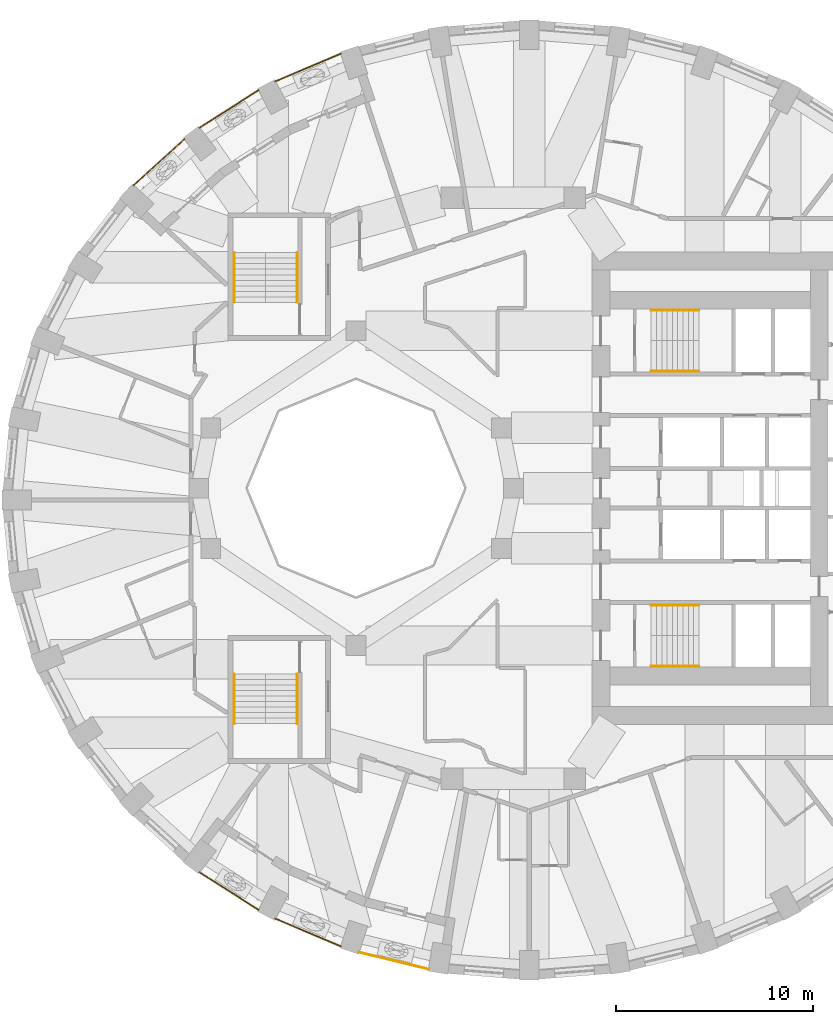
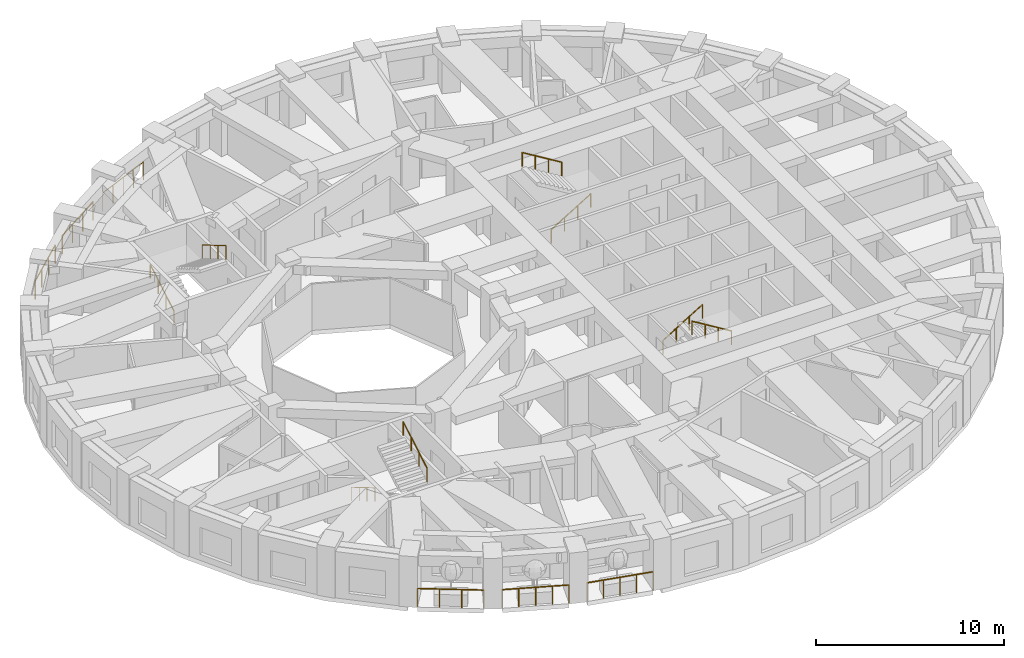
# One storey, part 10 of 12: 14 railings.
"""IFC4 building model written with IfcOpenShell, lengths in metres."""

from ifc_helpers import new_model, si_unit, direction, frame, origin, origin_2d, place, context, subcontext, project, spatial, circle, extrude, material, type_object, element, save


model = new_model("IFC4")

# Units and contexts
model_context = context("Model", 3, precision=1e-05, world=origin(), true_north=direction((0.0, 1.0)))
body_context = subcontext(model_context, "Body", "Model", "MODEL_VIEW")
ifc_project = project(units=[si_unit("LENGTHUNIT", "METRE"), si_unit("AREAUNIT", "SQUARE_METRE"), si_unit("VOLUMEUNIT", "CUBIC_METRE"), si_unit("PLANEANGLEUNIT", "RADIAN"), si_unit("MASSUNIT", "GRAM", prefix="KILO")], contexts=[model_context])

# Site, building, storey
site_placement = place(None, origin())
site = spatial("IfcSite", under=ifc_project, at=site_placement, CompositionType="ELEMENT")
building_placement = place(site_placement, origin())
building = spatial("IfcBuilding", under=site, at=building_placement, Name="Taillehof Tower", CompositionType="ELEMENT")
storey_placement = place(building_placement, frame((0.0, 0.0, 118.60009765625)))
storey = spatial("IfcBuildingStorey", under=building, at=storey_placement, Name="L33", CompositionType="ELEMENT", Elevation=118.60009765625)

# Railings
ifc_material_1 = material(Name="Stainless steel balustrade", Category="steel")
railing_type_1 = type_object("IfcRailingType", Name="Balcony guard 1200", PredefinedType="GUARDRAIL", material=ifc_material_1)
railing_1_placement = place(storey_placement, frame((-15.956787109375, -19.523681640625, 0.0)))
element("IfcRailing", 1, at=railing_1_placement, inside=storey, type_object=railing_type_1, Name="Balcony guard L33 bay 24", PredefinedType="GUARDRAIL", context=body_context, shape_type="SweptSolid", body=[
    extrude(circle(Radius=0.02392578125, at=origin_2d()), frame((0.0, 0.0, 1.17578125), z_axis=(0.843912711069, -0.536480508589, 0.0), x_axis=(0.536480508589, 0.843912711069, 0.0)), (0.0, 0.0, 1.0), 3.56005859375),
    extrude(circle(Radius=0.02099609375, at=origin_2d()), origin(), (0.0, 0.0, 1.0), 1.15185546875),
    extrude(circle(Radius=0.02099609375, at=origin_2d()), frame((1.00146484375, -0.63671875, 0.0)), (0.0, 0.0, 1.0), 1.15185546875),
    extrude(circle(Radius=0.02099609375, at=origin_2d()), frame((2.0029296875, -1.273193359375, 0.0)), (0.0, 0.0, 1.0), 1.15185546875),
    extrude(circle(Radius=0.02099609375, at=origin_2d()), frame((3.00439453125, -1.909912109375, 0.0)), (0.0, 0.0, 1.0), 1.15185546875),
])
railing_2_placement = place(storey_placement, frame((-12.102294921875, -21.8798828125, 0.0)))
element("IfcRailing", 2, at=railing_2_placement, inside=storey, type_object=railing_type_1, Name="Balcony guard L33 bay 25", PredefinedType="GUARDRAIL", context=body_context, shape_type="SweptSolid", body=[
    extrude(circle(Radius=0.02392578125, at=origin_2d()), frame((0.0, 0.0, 1.17578125), z_axis=(0.920860132176, -0.389893084024, 0.0), x_axis=(0.389893084024, 0.920860132176, 0.0)), (0.0, 0.0, 1.0), 3.61865234375),
    extrude(circle(Radius=0.02099609375, at=origin_2d()), origin(), (0.0, 0.0, 1.0), 1.15185546875),
    extrude(circle(Radius=0.02099609375, at=origin_2d()), frame((0.8330078125, -0.352783203125, 0.0)), (0.0, 0.0, 1.0), 1.15185546875),
    extrude(circle(Radius=0.02099609375, at=origin_2d()), frame((1.666015625, -0.70556640625, 0.0)), (0.0, 0.0, 1.0), 1.15185546875),
    extrude(circle(Radius=0.02099609375, at=origin_2d()), frame((2.499267578125, -1.05810546875, 0.0)), (0.0, 0.0, 1.0), 1.15185546875),
    extrude(circle(Radius=0.02099609375, at=origin_2d()), frame((3.332275390625, -1.410888671875, 0.0)), (0.0, 0.0, 1.0), 1.15185546875),
])
railing_3_placement = place(storey_placement, frame((-7.858642578125, -23.59228515625, 0.0)))
element("IfcRailing", 3, at=railing_3_placement, inside=storey, type_object=railing_type_1, Name="Balcony guard L33 bay 26", PredefinedType="GUARDRAIL", context=body_context, shape_type="SweptSolid", body=[
    extrude(circle(Radius=0.02392578125, at=origin_2d()), frame((0.0, 0.0, 1.17578125), z_axis=(0.97164897724, -0.23642813925, 0.0), x_axis=(0.23642813925, 0.97164897724, 0.0)), (0.0, 0.0, 1.0), 3.66162109375),
    extrude(circle(Radius=0.02099609375, at=origin_2d()), origin(), (0.0, 0.0, 1.0), 1.15185546875),
    extrude(circle(Radius=0.02099609375, at=origin_2d()), frame((0.889404296875, -0.21630859375, 0.0)), (0.0, 0.0, 1.0), 1.15185546875),
    extrude(circle(Radius=0.02099609375, at=origin_2d()), frame((1.77880859375, -0.432861328125, 0.0)), (0.0, 0.0, 1.0), 1.15185546875),
    extrude(circle(Radius=0.02099609375, at=origin_2d()), frame((2.66845703125, -0.6494140625, 0.0)), (0.0, 0.0, 1.0), 1.15185546875),
    extrude(circle(Radius=0.02099609375, at=origin_2d()), frame((3.557861328125, -0.86572265625, 0.0)), (0.0, 0.0, 1.0), 1.15185546875),
])
railing_4_placement = place(storey_placement, frame((-8.77001953125, 22.0908203125, 0.0)))
element("IfcRailing", 4, at=railing_4_placement, inside=storey, type_object=railing_type_1, Name="Balcony guard L33 bay 12", PredefinedType="GUARDRAIL", context=body_context, shape_type="SweptSolid", body=[
    extrude(circle(Radius=0.02392578125, at=origin_2d()), frame((0.0, 0.0, 1.17578125), z_axis=(-0.920860132176, -0.389893084024, 0.0), x_axis=(0.389893084024, -0.920860132176, 0.0)), (0.0, 0.0, 1.0), 3.61865234375),
    extrude(circle(Radius=0.02099609375, at=origin_2d()), origin(), (0.0, 0.0, 1.0), 1.15185546875),
    extrude(circle(Radius=0.02099609375, at=origin_2d()), frame((-0.8330078125, -0.352783203125, 0.0)), (0.0, 0.0, 1.0), 1.15185546875),
    extrude(circle(Radius=0.02099609375, at=origin_2d()), frame((-1.666015625, -0.70556640625, 0.0)), (0.0, 0.0, 1.0), 1.15185546875),
    extrude(circle(Radius=0.02099609375, at=origin_2d()), frame((-2.499267578125, -1.05810546875, 0.0)), (0.0, 0.0, 1.0), 1.15185546875),
    extrude(circle(Radius=0.02099609375, at=origin_2d()), frame((-3.332275390625, -1.410888671875, 0.0)), (0.0, 0.0, 1.0), 1.15185546875),
])
railing_5_placement = place(storey_placement, frame((-12.952392578125, 20.233642578125, 0.0)))
element("IfcRailing", 5, at=railing_5_placement, inside=storey, type_object=railing_type_1, Name="Balcony guard L33 bay 13", PredefinedType="GUARDRAIL", context=body_context, shape_type="SweptSolid", body=[
    extrude(circle(Radius=0.02392578125, at=origin_2d()), frame((0.0, 0.0, 1.17578125), z_axis=(-0.843881662908, -0.536529345896, 0.0), x_axis=(0.536529345896, -0.843881662908, 0.0)), (0.0, 0.0, 1.0), 3.560302734375),
    extrude(circle(Radius=0.02099609375, at=origin_2d()), origin(), (0.0, 0.0, 1.0), 1.15185546875),
    extrude(circle(Radius=0.02099609375, at=origin_2d()), frame((-1.00146484375, -0.63671875, 0.0)), (0.0, 0.0, 1.0), 1.15185546875),
    extrude(circle(Radius=0.02099609375, at=origin_2d()), frame((-2.0029296875, -1.2734375, 0.0)), (0.0, 0.0, 1.0), 1.15185546875),
    extrude(circle(Radius=0.02099609375, at=origin_2d()), frame((-3.00439453125, -1.91015625, 0.0)), (0.0, 0.0, 1.0), 1.15185546875),
])
railing_6_placement = place(storey_placement, frame((-16.719970703125, 17.7412109375, 0.0)))
element("IfcRailing", 6, at=railing_6_placement, inside=storey, type_object=railing_type_1, Name="Balcony guard L33 bay 14", PredefinedType="GUARDRAIL", context=body_context, shape_type="SweptSolid", body=[
    extrude(circle(Radius=0.02392578125, at=origin_2d()), frame((0.0, 0.0, 1.17578125), z_axis=(-0.740360582387, -0.672209943431, 0.0), x_axis=(0.672209943431, -0.740360582387, 0.0)), (0.0, 0.0, 1.0), 3.492919921875),
    extrude(circle(Radius=0.02099609375, at=origin_2d()), origin(), (0.0, 0.0, 1.0), 1.15185546875),
    extrude(circle(Radius=0.02099609375, at=origin_2d()), frame((-0.862060546875, -0.78271484375, 0.0)), (0.0, 0.0, 1.0), 1.15185546875),
    extrude(circle(Radius=0.02099609375, at=origin_2d()), frame((-1.723876953125, -1.565185546875, 0.0)), (0.0, 0.0, 1.0), 1.15185546875),
    extrude(circle(Radius=0.02099609375, at=origin_2d()), frame((-2.5859375, -2.347900390625, 0.0)), (0.0, 0.0, 1.0), 1.15185546875),
])
ifc_material_2 = material(Name="Stainless steel", Category="steel")
railing_type_2 = type_object("IfcRailingType", Name="Stair handrail 900", PredefinedType="HANDRAIL", material=ifc_material_2)
railing_7_placement = place(storey_placement, frame((7.0, 5.949951171875, 0.164794921875)))
element("IfcRailing", 7, at=railing_7_placement, inside=storey, type_object=railing_type_2, Name="Stair S1 handrail", PredefinedType="HANDRAIL", context=body_context, shape_type="SweptSolid", body=[
    extrude(circle(Radius=0.02392578125, at=origin_2d()), frame((0.0, 0.0, 0.8759765625), z_axis=(0.853258522278, 0.0, 0.521488153423), x_axis=(0.0, 1.0, 0.0)), (0.0, 0.0, 1.0), 2.847900390625),
    extrude(circle(Radius=0.02099609375, at=origin_2d()), origin(), (0.0, 0.0, 1.0), 0.851806640625),
    extrude(circle(Radius=0.02099609375, at=origin_2d()), frame((0.81005859375, 0.0, 0.4951171875)), (0.0, 0.0, 1.0), 0.851806640625),
    extrude(circle(Radius=0.02099609375, at=origin_2d()), frame((1.619873046875, 0.0, 0.989990234375)), (0.0, 0.0, 1.0), 0.851806640625),
    extrude(circle(Radius=0.02099609375, at=origin_2d()), frame((2.429931640625, 0.0, 1.485107421875)), (0.0, 0.0, 1.0), 0.851806640625),
])
railing_8_placement = place(storey_placement, frame((9.429931640625, 9.050048828125, 1.81494140625)))
element("IfcRailing", 8, at=railing_8_placement, inside=storey, type_object=railing_type_2, Name="Stair S1 handrail", PredefinedType="HANDRAIL", context=body_context, shape_type="SweptSolid", body=[
    extrude(circle(Radius=0.02392578125, at=origin_2d()), frame((0.0, 0.0, 0.8759765625), z_axis=(-0.853296667938, 0.0, 0.521425734392), x_axis=(0.0, -1.0, 0.0)), (0.0, 0.0, 1.0), 2.84765625),
    extrude(circle(Radius=0.02099609375, at=origin_2d()), origin(), (0.0, 0.0, 1.0), 0.851806640625),
    extrude(circle(Radius=0.02099609375, at=origin_2d()), frame((-0.81005859375, 0.0, 0.494873046875)), (0.0, 0.0, 1.0), 0.851806640625),
    extrude(circle(Radius=0.02099609375, at=origin_2d()), frame((-1.619873046875, 0.0, 0.989990234375)), (0.0, 0.0, 1.0), 0.851806640625),
    extrude(circle(Radius=0.02099609375, at=origin_2d()), frame((-2.429931640625, 0.0, 1.48486328125)), (0.0, 0.0, 1.0), 0.851806640625),
])
railing_9_placement = place(storey_placement, frame((7.0, -5.949951171875, 0.164794921875)))
element("IfcRailing", 9, at=railing_9_placement, inside=storey, type_object=railing_type_2, Name="Stair S2 handrail", PredefinedType="HANDRAIL", context=body_context, shape_type="SweptSolid", body=[
    extrude(circle(Radius=0.02392578125, at=origin_2d()), frame((0.0, 0.0, 0.8759765625), z_axis=(0.853258522278, 0.0, 0.521488153423), x_axis=(0.0, 1.0, 0.0)), (0.0, 0.0, 1.0), 2.847900390625),
    extrude(circle(Radius=0.02099609375, at=origin_2d()), origin(), (0.0, 0.0, 1.0), 0.851806640625),
    extrude(circle(Radius=0.02099609375, at=origin_2d()), frame((0.81005859375, 0.0, 0.4951171875)), (0.0, 0.0, 1.0), 0.851806640625),
    extrude(circle(Radius=0.02099609375, at=origin_2d()), frame((1.619873046875, 0.0, 0.989990234375)), (0.0, 0.0, 1.0), 0.851806640625),
    extrude(circle(Radius=0.02099609375, at=origin_2d()), frame((2.429931640625, 0.0, 1.485107421875)), (0.0, 0.0, 1.0), 0.851806640625),
])
railing_10_placement = place(storey_placement, frame((9.429931640625, -9.050048828125, 1.81494140625)))
element("IfcRailing", 10, at=railing_10_placement, inside=storey, type_object=railing_type_2, Name="Stair S2 handrail", PredefinedType="HANDRAIL", context=body_context, shape_type="SweptSolid", body=[
    extrude(circle(Radius=0.02392578125, at=origin_2d()), frame((0.0, 0.0, 0.8759765625), z_axis=(-0.853296667938, 0.0, 0.521425734392), x_axis=(0.0, -1.0, 0.0)), (0.0, 0.0, 1.0), 2.84765625),
    extrude(circle(Radius=0.02099609375, at=origin_2d()), origin(), (0.0, 0.0, 1.0), 0.851806640625),
    extrude(circle(Radius=0.02099609375, at=origin_2d()), frame((-0.81005859375, 0.0, 0.494873046875)), (0.0, 0.0, 1.0), 0.851806640625),
    extrude(circle(Radius=0.02099609375, at=origin_2d()), frame((-1.619873046875, 0.0, 0.989990234375)), (0.0, 0.0, 1.0), 0.851806640625),
    extrude(circle(Radius=0.02099609375, at=origin_2d()), frame((-2.429931640625, 0.0, 1.48486328125)), (0.0, 0.0, 1.0), 0.851806640625),
])
railing_11_placement = place(storey_placement, frame((-14.199951171875, 9.449951171875, 0.164794921875)))
element("IfcRailing", 11, at=railing_11_placement, inside=storey, type_object=railing_type_2, Name="Stair S3 handrail", PredefinedType="HANDRAIL", context=body_context, shape_type="SweptSolid", body=[
    extrude(circle(Radius=0.02392578125, at=origin_2d()), frame((0.0, 0.0, 0.8759765625), z_axis=(0.0, 0.86152411907, 0.507716645641), x_axis=(-1.0, 0.0, 0.0)), (0.0, 0.0, 1.0), 2.925048828125),
    extrude(circle(Radius=0.02099609375, at=origin_2d()), origin(), (0.0, 0.0, 1.0), 0.851806640625),
    extrude(circle(Radius=0.02099609375, at=origin_2d()), frame((0.0, 0.840087890625, 0.4951171875)), (0.0, 0.0, 1.0), 0.851806640625),
    extrude(circle(Radius=0.02099609375, at=origin_2d()), frame((0.0, 1.679931640625, 0.989990234375)), (0.0, 0.0, 1.0), 0.851806640625),
    extrude(circle(Radius=0.02099609375, at=origin_2d()), frame((0.0, 2.52001953125, 1.485107421875)), (0.0, 0.0, 1.0), 0.851806640625),
])
railing_12_placement = place(storey_placement, frame((-11.0, 11.969970703125, 1.81494140625)))
element("IfcRailing", 12, at=railing_12_placement, inside=storey, type_object=railing_type_2, Name="Stair S3 handrail", PredefinedType="HANDRAIL", context=body_context, shape_type="SweptSolid", body=[
    extrude(circle(Radius=0.02392578125, at=origin_2d()), frame((0.0, 0.0, 0.8759765625), z_axis=(0.0, -0.861560626758, 0.507654692109), x_axis=(1.0, 0.0, 0.0)), (0.0, 0.0, 1.0), 2.925048828125),
    extrude(circle(Radius=0.02099609375, at=origin_2d()), origin(), (0.0, 0.0, 1.0), 0.851806640625),
    extrude(circle(Radius=0.02099609375, at=origin_2d()), frame((0.0, -0.840087890625, 0.494873046875)), (0.0, 0.0, 1.0), 0.851806640625),
    extrude(circle(Radius=0.02099609375, at=origin_2d()), frame((0.0, -1.679931640625, 0.989990234375)), (0.0, 0.0, 1.0), 0.851806640625),
    extrude(circle(Radius=0.02099609375, at=origin_2d()), frame((0.0, -2.52001953125, 1.48486328125)), (0.0, 0.0, 1.0), 0.851806640625),
])
railing_13_placement = place(storey_placement, frame((-14.199951171875, -9.449951171875, 0.164794921875)))
element("IfcRailing", 13, at=railing_13_placement, inside=storey, type_object=railing_type_2, Name="Stair S4 handrail", PredefinedType="HANDRAIL", context=body_context, shape_type="SweptSolid", body=[
    extrude(circle(Radius=0.02392578125, at=origin_2d()), frame((0.0, 0.0, 0.8759765625), z_axis=(0.0, -0.86152411907, 0.507716645641), x_axis=(1.0, 0.0, 0.0)), (0.0, 0.0, 1.0), 2.925048828125),
    extrude(circle(Radius=0.02099609375, at=origin_2d()), origin(), (0.0, 0.0, 1.0), 0.851806640625),
    extrude(circle(Radius=0.02099609375, at=origin_2d()), frame((0.0, -0.840087890625, 0.4951171875)), (0.0, 0.0, 1.0), 0.851806640625),
    extrude(circle(Radius=0.02099609375, at=origin_2d()), frame((0.0, -1.679931640625, 0.989990234375)), (0.0, 0.0, 1.0), 0.851806640625),
    extrude(circle(Radius=0.02099609375, at=origin_2d()), frame((0.0, -2.52001953125, 1.485107421875)), (0.0, 0.0, 1.0), 0.851806640625),
])
railing_14_placement = place(storey_placement, frame((-11.0, -11.969970703125, 1.81494140625)))
element("IfcRailing", 14, at=railing_14_placement, inside=storey, type_object=railing_type_2, Name="Stair S4 handrail", PredefinedType="HANDRAIL", context=body_context, shape_type="SweptSolid", body=[
    extrude(circle(Radius=0.02392578125, at=origin_2d()), frame((0.0, 0.0, 0.8759765625), z_axis=(0.0, 0.861560626758, 0.507654692109), x_axis=(-1.0, 0.0, 0.0)), (0.0, 0.0, 1.0), 2.925048828125),
    extrude(circle(Radius=0.02099609375, at=origin_2d()), origin(), (0.0, 0.0, 1.0), 0.851806640625),
    extrude(circle(Radius=0.02099609375, at=origin_2d()), frame((0.0, 0.840087890625, 0.494873046875)), (0.0, 0.0, 1.0), 0.851806640625),
    extrude(circle(Radius=0.02099609375, at=origin_2d()), frame((0.0, 1.679931640625, 0.989990234375)), (0.0, 0.0, 1.0), 0.851806640625),
    extrude(circle(Radius=0.02099609375, at=origin_2d()), frame((0.0, 2.52001953125, 1.48486328125)), (0.0, 0.0, 1.0), 0.851806640625),
])

save(model, "model.ifc")
